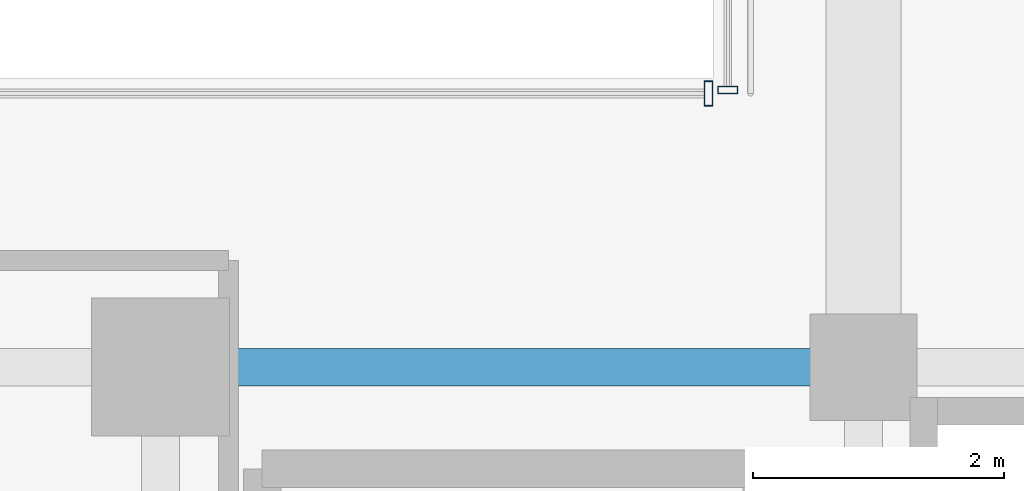
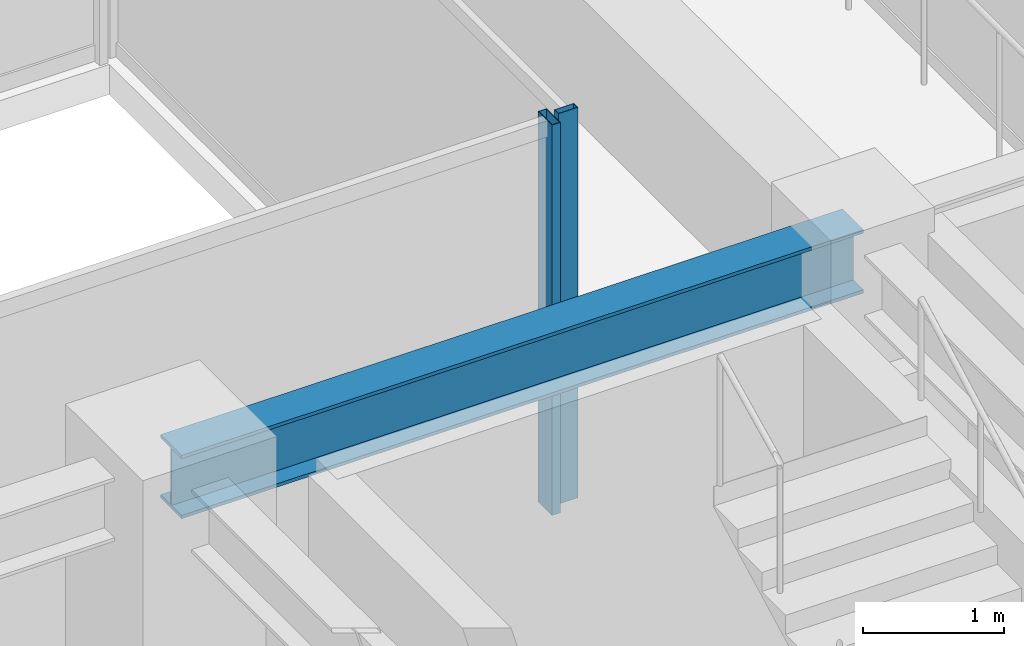
# One storey, part 9 of 38: 2 members, 1 beam, 2 elements without a shape of their own.
"""IFC4 building model written with IfcOpenShell, lengths in metres."""

from ifc_helpers import new_model, si_unit, direction, frame, origin, origin_2d, place, context, subcontext, project, spatial, hollow_rectangle, i_section, extrude, source, transform, mapped, material, material_profile, profile_set, type_object, element, aggregate, save


model = new_model("IFC4")

# Units and contexts
model_context = context("Model", 3, precision=1e-05, world=origin(), true_north=direction((0.0, 1.0)))
body_context = subcontext(model_context, "Body", "Model", "MODEL_VIEW")
ifc_project = project(units=[si_unit("LENGTHUNIT", "METRE"), si_unit("AREAUNIT", "SQUARE_METRE"), si_unit("VOLUMEUNIT", "CUBIC_METRE"), si_unit("PLANEANGLEUNIT", "RADIAN"), si_unit("MASSUNIT", "GRAM", prefix="KILO")], contexts=[model_context])

# Site, building, storey
site_placement = place(None, origin())
site = spatial("IfcSite", under=ifc_project, at=site_placement, CompositionType="ELEMENT")
building_placement = place(site_placement, origin())
building = spatial("IfcBuilding", under=site, at=building_placement, Name="Nahalor Promenade Grand Hotel", CompositionType="ELEMENT")
storey_placement = place(building_placement, frame((0.0, 0.0, 178.199951171875)))
storey = spatial("IfcBuildingStorey", under=building, at=storey_placement, Name="L45", CompositionType="ELEMENT", Elevation=178.199951171875)

# Beam
ifc_material_1 = material(Name="Steel S355JR", Category="steel")
ifc_material_profile_1 = material_profile(ifc_material_1, i_section(OverallWidth=0.3, OverallDepth=0.55, WebThickness=0.015, FlangeThickness=0.029, at=origin_2d()), Name="HEB 550")
ifc_profile_set_1 = profile_set([ifc_material_profile_1], Name="Steel S355JR")
beam_type = type_object("IfcBeamType", Name="Beam-Girder-HEB550", PredefinedType="BEAM", material=ifc_profile_set_1)
shared_shape_1 = source(origin(), body_context, "Body", "SweptSolid", [
    extrude(i_section(OverallWidth=0.3, OverallDepth=0.55, WebThickness=0.015, FlangeThickness=0.029, at=origin_2d()), origin(), (0.0, 0.0, 1.0), 5.599853515625),
])
beam_placement = place(storey_placement, frame((2.800048828125, -5.39990234375, 3.114990234375), z_axis=(1.0, 0.0, 0.0), x_axis=(0.0, 1.0, 0.0)))
element("IfcBeam", 1, at=beam_placement, inside=storey, type_object=beam_type, Name="BM-L45-GX-1-4", PredefinedType="BEAM", context=body_context, shape_type="MappedRepresentation", body=[
    mapped(shared_shape_1, transform((0.0, 0.0, 0.0), scale=1.0)),
])

# Curtain wall, member
ifc_material_2 = material(Name="Anodised Bronze Aluminium EN AW-6063 T6", Category="aluminium")
curtain_wall_type_1 = type_object("IfcCurtainWallType", Name="CW3 Elliptical-Void Collar Unitised Curtain Wall", PredefinedType="USERDEFINED", material=ifc_material_2)
curtain_wall_1_placement = place(storey_placement, origin())
curtain_wall_1 = element("IfcCurtainWall", 2, at=curtain_wall_1_placement, inside=storey, type_object=curtain_wall_type_1, Name="L45 Curtain Wall CW-L45-VOID-WS1", ObjectType="UNITISED_CURTAIN_WALL", PredefinedType="USERDEFINED")
ifc_material_profile_2 = material_profile(ifc_material_2, hollow_rectangle(XDim=0.07, YDim=0.2, WallThickness=0.005, at=origin_2d()), Name="CWM 70x200x5")
ifc_profile_set_2 = profile_set([ifc_material_profile_2], Name="Anodised Bronze Aluminium EN AW-6063 T6")
member_type_1 = type_object("IfcMemberType", Name="CWM3 Void Collar Mullion 70x200", PredefinedType="MULLION", material=ifc_profile_set_2)
shared_shape_2 = source(origin(), body_context, "Body", "SweptSolid", [
    extrude(hollow_rectangle(XDim=0.07, YDim=0.2, WallThickness=0.005, at=origin_2d()), origin(), (0.0, 0.0, 1.0), 3.39013671875),
])
member_1_placement = place(storey_placement, frame((7.1650390625, -3.219970703125, 0.0), z_axis=(0.0, 0.0, 1.0), x_axis=(1.0, 0.0, 0.0)))
member_1 = element("IfcMember", 3, at=member_1_placement, type_object=member_type_1, Name="CW-L45-VOID-WS1 Mullion 3", PredefinedType="MULLION", context=body_context, shape_type="MappedRepresentation", body=[
    mapped(shared_shape_2, transform((0.0, 0.0, 0.0), scale=1.0)),
])
aggregate(curtain_wall_1, [member_1])

curtain_wall_type_2 = type_object("IfcCurtainWallType", Name="CW4 Low-Iron Sky-Gallery Bridge Curtain Wall", PredefinedType="USERDEFINED", material=ifc_material_2)
curtain_wall_2_placement = place(storey_placement, origin())
curtain_wall_2 = element("IfcCurtainWall", 4, at=curtain_wall_2_placement, inside=storey, type_object=curtain_wall_type_2, Name="L45 Curtain Wall CW-L45-BRG-W", ObjectType="UNITISED_CURTAIN_WALL", PredefinedType="USERDEFINED")
ifc_material_profile_3 = material_profile(ifc_material_2, hollow_rectangle(XDim=0.06, YDim=0.16, WallThickness=0.004, at=origin_2d()), Name="CWM 60x160x4")
ifc_profile_set_3 = profile_set([ifc_material_profile_3], Name="Anodised Bronze Aluminium EN AW-6063 T6")
member_type_2 = type_object("IfcMemberType", Name="CWM4 Sky-Gallery Slim Mullion 60x160", PredefinedType="MULLION", material=ifc_profile_set_3)
shared_shape_3 = source(origin(), body_context, "Body", "SweptSolid", [
    extrude(hollow_rectangle(XDim=0.06, YDim=0.16, WallThickness=0.004, at=origin_2d()), origin(), (0.0, 0.0, 1.0), 3.39013671875),
])
member_2_placement = place(storey_placement, frame((7.320068359375, -3.18994140625, 0.0), z_axis=(0.0, 0.0, 1.0), x_axis=(0.0, 1.0, 0.0)))
member_2 = element("IfcMember", 5, at=member_2_placement, type_object=member_type_2, Name="CW-L45-BRG-W Mullion 0", PredefinedType="MULLION", context=body_context, shape_type="MappedRepresentation", body=[
    mapped(shared_shape_3, transform((0.0, 0.0, 0.0), scale=1.0)),
])
aggregate(curtain_wall_2, [member_2])

save(model, "model.ifc")
